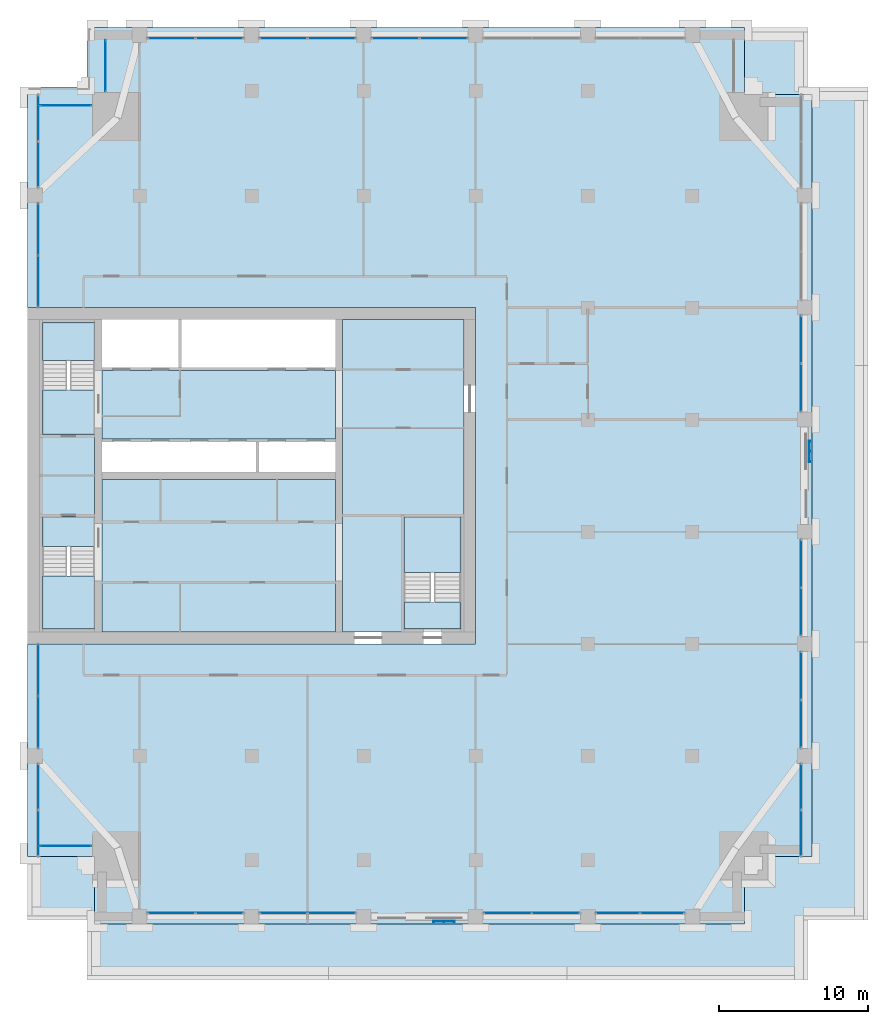
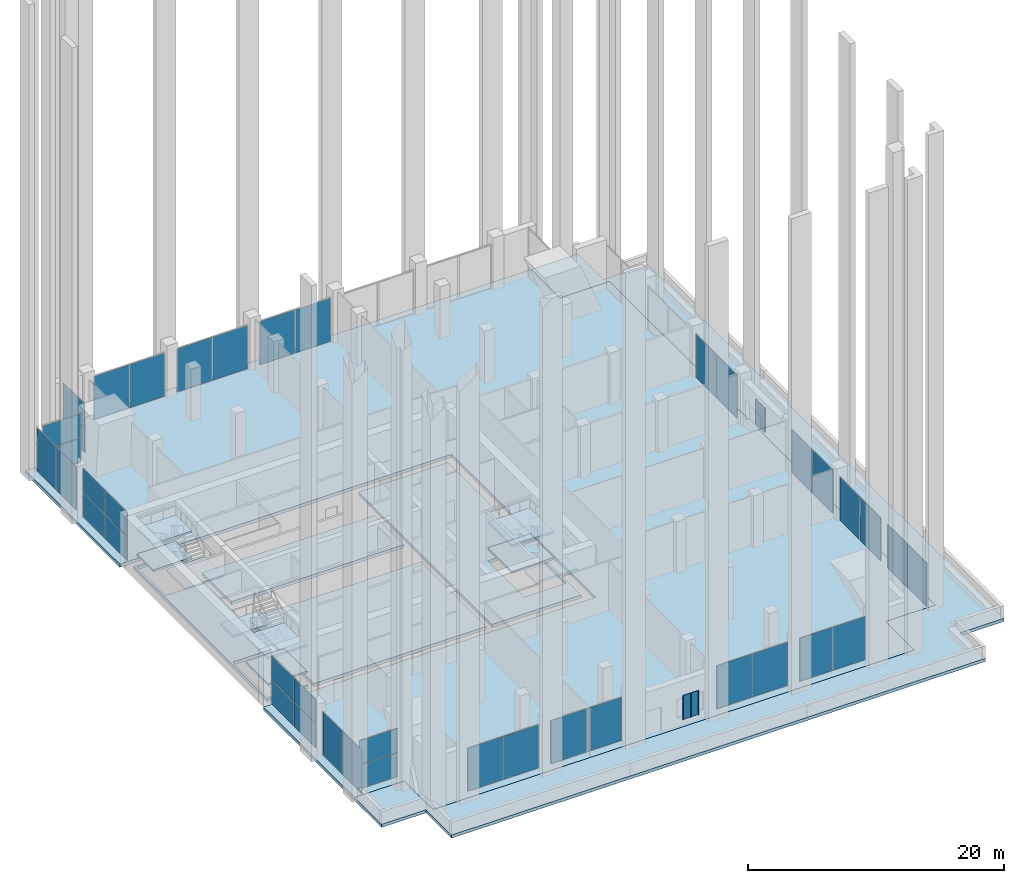
# One storey, part 9 of 19: 42 plates, 15 slabs, 21 elements without a shape of their own.
"""IFC4 building model written with IfcOpenShell, lengths in metres."""

import ifcopenshell
import ifcopenshell.guid

model = None  # the IFC model being written
_history = None  # IfcOwnerHistory: only IFC2X3 demands one
_inside = {}  # id of a spatial element -> (the spatial element, [elements in it])
_under = {}  # id of a project, library or spatial element -> (it, [spatial elements below it])
_declared = {}  # id of a project -> (the project, [libraries it declares])
_typed = {}  # id of a type object -> (the type object, [elements of that type])
_made_of = {}  # id of a material, layer set ... -> (it, [elements and type objects made of it])


def new_model(schema):
    """Start an empty IFC model of exactly this schema.

    Asked for "IFC4X3", IfcOpenShell would pick the latest addendum, in which some entities
    have other attributes; the version numbers below select the first issue.
    IFC2X3 requires an IfcOwnerHistory on every rooted entity: one is made here for all.
    """
    global model, _history
    if schema == "IFC4X3":
        model = ifcopenshell.file(schema_version=(4, 3, 0, 0))
    else:
        model = ifcopenshell.file(schema=schema)
    _inside.clear()
    _under.clear()
    _declared.clear()
    _typed.clear()
    _made_of.clear()
    _history = None
    if model.schema == "IFC2X3":
        org = make("IfcOrganization", Name="unknown")
        user = make(
            "IfcPersonAndOrganization",
            ThePerson=make("IfcPerson", FamilyName="unknown"),
            TheOrganization=org,
        )
        app = make(
            "IfcApplication",
            ApplicationDeveloper=org,
            Version="unknown",
            ApplicationFullName="unknown",
            ApplicationIdentifier="unknown",
        )
        _history = make(
            "IfcOwnerHistory",
            OwningUser=user,
            OwningApplication=app,
            ChangeAction="ADDED",
            CreationDate=0,
        )
    return model


def make(cls, **values):
    """One entity of the class cls with the attributes given. An attribute that is None is left unset."""
    return model.create_entity(
        cls, **{name: value for name, value in values.items() if value is not None}
    )


def rooted(cls, **values):
    """An entity with a GlobalId (a new one), such as an element, a storey or a relation."""
    return make(cls, GlobalId=ifcopenshell.guid.new(), OwnerHistory=_history, **values)


def si_unit(unit_type, name, prefix=None):
    """IfcSIUnit, for example si_unit("LENGTHUNIT", "METRE", prefix="MILLI")."""
    return make("IfcSIUnit", UnitType=unit_type, Prefix=prefix, Name=name)


def assignment(units):
    """IfcUnitAssignment: the units of a project."""
    return None if units is None else make("IfcUnitAssignment", Units=units)


def point(xyz):
    """IfcCartesianPoint."""
    return None if xyz is None else make("IfcCartesianPoint", Coordinates=xyz)


def direction(xyz):
    """IfcDirection."""
    return None if xyz is None else make("IfcDirection", DirectionRatios=xyz)


def frame(location, z_axis=None, x_axis=None):
    """IfcAxis2Placement3D, a coordinate frame: its origin and axes. An axis left out is left unset."""
    return make(
        "IfcAxis2Placement3D",
        Location=point(location),
        Axis=direction(z_axis),
        RefDirection=direction(x_axis),
    )


def frame_2d(location, x_axis=None):
    """IfcAxis2Placement2D, a coordinate frame in the plane: its origin and x axis."""
    return make(
        "IfcAxis2Placement2D", Location=point(location), RefDirection=direction(x_axis)
    )


def origin():
    """The frame at (0, 0, 0) with its axes left unset."""
    return frame((0.0, 0.0, 0.0))


def origin_2d():
    """The frame at (0, 0) in the plane with its x axis left unset."""
    return frame_2d((0.0, 0.0))


def place(relative_to, where):
    """IfcLocalPlacement: puts the frame where relative to a parent placement (None: the world)."""
    return make(
        "IfcLocalPlacement", PlacementRelTo=relative_to, RelativePlacement=where
    )


def context(
    kind, dimensions, precision=None, world=None, true_north=None, identifier=None
):
    """IfcGeometricRepresentationContext, for example the 3D "Model" context."""
    return make(
        "IfcGeometricRepresentationContext",
        ContextIdentifier=identifier,
        ContextType=kind,
        CoordinateSpaceDimension=dimensions,
        Precision=precision,
        WorldCoordinateSystem=world,
        TrueNorth=true_north,
    )


def subcontext(parent, identifier, kind, view, scale=None):
    """IfcGeometricRepresentationSubContext, for example "Body" below "Model"."""
    return make(
        "IfcGeometricRepresentationSubContext",
        ContextIdentifier=identifier,
        ContextType=kind,
        ParentContext=parent,
        TargetScale=scale,
        TargetView=view,
    )


def project(units=None, contexts=None):
    """IfcProject with its units and contexts."""
    return rooted(
        "IfcProject",
        Name="project",
        RepresentationContexts=contexts,
        UnitsInContext=assignment(units),
    )


def spatial(cls, under=None, at=None, **own):
    """A site, building, storey or space (cls), placed at a placement, below another one or the project."""
    s = rooted(cls, ObjectPlacement=at, **own)
    if under is not None:
        _under.setdefault(under.id(), (under, []))[1].append(s)
    return s


def polyline(points):
    """IfcPolyline through the points."""
    return make("IfcPolyline", Points=[point(p) for p in points])


def profile(cls, at=None, kind="AREA", **sizes):
    """A parametric profile (cls). Its sizes go by their IFC names, for example OverallWidth=200.0."""
    return make(cls, ProfileType=kind, Position=at, **sizes)


def rectangle(**sizes):
    """IfcRectangleProfileDef."""
    return profile("IfcRectangleProfileDef", **sizes)


def outline(outer, holes=None, kind="AREA"):
    """IfcArbitraryClosedProfileDef: a profile drawn as a closed curve; with holes, ...WithVoids."""
    if holes is None:
        return make("IfcArbitraryClosedProfileDef", ProfileType=kind, OuterCurve=outer)
    return make(
        "IfcArbitraryProfileDefWithVoids",
        ProfileType=kind,
        OuterCurve=outer,
        InnerCurves=holes,
    )


def extrude(swept, where, along, depth):
    """IfcExtrudedAreaSolid: the profile swept, set in the frame where, extruded along a direction by depth."""
    return make(
        "IfcExtrudedAreaSolid",
        SweptArea=swept,
        Position=where,
        ExtrudedDirection=direction(along),
        Depth=depth,
    )


def shape(context_of_items, identifier, shape_type, items):
    """IfcShapeRepresentation: the items that make up one representation, for example the "Body"."""
    return make(
        "IfcShapeRepresentation",
        ContextOfItems=context_of_items,
        RepresentationIdentifier=identifier,
        RepresentationType=shape_type,
        Items=items,
    )


def material(Name=None, Category=None):
    """IfcMaterial."""
    return make("IfcMaterial", Name=Name, Category=Category)


def layer(
    of_material, thickness, ventilated=None, Name=None, Category=None, Priority=None
):
    """IfcMaterialLayer: one layer of a wall or slab, of a material (None: an air gap)."""
    return make(
        "IfcMaterialLayer",
        Material=of_material,
        LayerThickness=thickness,
        IsVentilated=ventilated,
        Name=Name,
        Category=Category,
        Priority=Priority,
    )


def layer_set(layers, Name=None):
    """IfcMaterialLayerSet."""
    return make("IfcMaterialLayerSet", MaterialLayers=layers, LayerSetName=Name)


def made_of(thing, what):
    """Note that an element or type object is made of a material, layer set ...; save() writes the relation."""
    if what is not None:
        _made_of.setdefault(what.id(), (what, []))[1].append(thing)
    return thing


def type_object(cls, material=None, **own):
    """A type object (cls), such as IfcWallType, which elements share."""
    return made_of(rooted(cls, **own), material)


def element(
    cls,
    number,
    at=None,
    inside=None,
    cuts=None,
    type_object=None,
    material=None,
    context=None,
    identifier="Body",
    shape_type=None,
    held_by="IfcProductDefinitionShape",
    body=None,
    shapes=None,
    **own,
):
    """One element of the class cls, such as IfcWall. Its Tag is "e" and its number.

    at: its placement. inside: the storey or other place that contains it. cuts: it is an
    opening in that element (IfcRelVoidsElement). A single representation is given by context,
    identifier, shape_type and body (its items); several are given by shapes. held_by: the class
    of the entity that holds the representations. save() writes the other relations.
    """
    e = rooted(cls, Tag="e%d" % number, ObjectPlacement=at, **own)
    if body is not None:
        shapes = [shape(context, identifier, shape_type, body)]
    if shapes is not None:
        e.Representation = make(held_by, Representations=shapes)
    if inside is not None:
        _inside.setdefault(inside.id(), (inside, []))[1].append(e)
    if cuts is not None:
        rooted(
            "IfcRelVoidsElement", RelatingBuildingElement=cuts, RelatedOpeningElement=e
        )
    if type_object is not None:
        _typed.setdefault(type_object.id(), (type_object, []))[1].append(e)
    return made_of(e, material)


def aggregate(whole, parts):
    """IfcRelAggregates: a whole, such as a stair, and the parts it consists of."""
    return rooted("IfcRelAggregates", RelatingObject=whole, RelatedObjects=parts)


def save(model, path):
    """Write the relations noted so far, then the file.

    IfcRelAggregates (storeys below a building ...), IfcRelContainedInSpatialStructure (elements
    in a storey), IfcRelDefinesByType, IfcRelAssociatesMaterial and IfcRelDeclares: one each for
    every whole, place, type object, material and project.
    """
    for whole, parts in _under.values():
        aggregate(whole, parts)
    for where, things in _inside.values():
        rooted(
            "IfcRelContainedInSpatialStructure",
            RelatedElements=things,
            RelatingStructure=where,
        )
    for kind, things in _typed.values():
        rooted("IfcRelDefinesByType", RelatedObjects=things, RelatingType=kind)
    for what, things in _made_of.values():
        rooted("IfcRelAssociatesMaterial", RelatedObjects=things, RelatingMaterial=what)
    for by, libraries in _declared.values():
        rooted("IfcRelDeclares", RelatingContext=by, RelatedDefinitions=libraries)
    model.write(path)


model = new_model("IFC4")

# Units and contexts
model_context = context("Model", 3, precision=1e-05, world=origin(), true_north=direction((0.0, 1.0)))
body_context = subcontext(model_context, "Body", "Model", "MODEL_VIEW")
ifc_project = project(units=[si_unit("LENGTHUNIT", "METRE"), si_unit("AREAUNIT", "SQUARE_METRE"), si_unit("VOLUMEUNIT", "CUBIC_METRE"), si_unit("PLANEANGLEUNIT", "RADIAN"), si_unit("MASSUNIT", "GRAM", prefix="KILO")], contexts=[model_context])

# Site, building, storey
site_placement = place(None, origin())
site = spatial("IfcSite", under=ifc_project, at=site_placement, CompositionType="ELEMENT")
building_placement = place(site_placement, origin())
building = spatial("IfcBuilding", under=site, at=building_placement, Name="Tamorin Gate", CompositionType="ELEMENT")
storey_placement = place(building_placement, frame((0.0, 0.0, 174.199951171875)))
storey = spatial("IfcBuildingStorey", under=building, at=storey_placement, Name="L42", CompositionType="ELEMENT", Elevation=174.199951171875)

# Curtain wall, plates
ifc_material_1 = material(Name="Aluminium mullions and transoms with clear glass", Category="aluminium")
ifc_layer_1 = layer(ifc_material_1, 0.159912109375)
ifc_layer_set_1 = layer_set([ifc_layer_1], Name="Curtain wall system CW2")
curtain_wall_type = type_object("IfcCurtainWallType", Name="Curtain wall system CW2", PredefinedType="NOTDEFINED", material=ifc_layer_set_1)
curtain_wall_1_placement = place(storey_placement, origin())
curtain_wall_1 = element("IfcCurtainWall", 1, at=curtain_wall_1_placement, inside=storey, type_object=curtain_wall_type, Name="Curtain wall", PredefinedType="NOTDEFINED")
ifc_material_2 = material(Name="Clear glass", Category="glass")
ifc_layer_2 = layer(ifc_material_2, 0.028076171875)
ifc_layer_set_2 = layer_set([ifc_layer_2], Name="Clear glass panel IGU 28")
plate_type_1 = type_object("IfcPlateType", Name="Clear glass panel IGU 28", PredefinedType="CURTAIN_PANEL", material=ifc_layer_set_2)
plate_1_placement = place(storey_placement, frame((39.639892578125, 41.969970703125, 0.06005859375), z_axis=(0.0, 0.0, 1.0), x_axis=(1.0, 0.0, 0.0)))
plate_1 = element("IfcPlate", 2, at=plate_1_placement, type_object=plate_type_1, Name="CW2 panel 1.1", PredefinedType="CURTAIN_PANEL", context=body_context, shape_type="SweptSolid", body=[
    extrude(rectangle(XDim=3.159912109375, YDim=0.028076171875, at=origin_2d()), origin(), (0.0, 0.0, 1.0), 4.1298828125),
])
plate_2_placement = place(storey_placement, frame((42.860107421875, 41.969970703125, 0.06005859375), z_axis=(0.0, 0.0, 1.0), x_axis=(1.0, 0.0, 0.0)))
plate_2 = element("IfcPlate", 3, at=plate_2_placement, type_object=plate_type_1, Name="CW2 panel 2.1", PredefinedType="CURTAIN_PANEL", context=body_context, shape_type="SweptSolid", body=[
    extrude(rectangle(XDim=3.159912109375, YDim=0.028076171875, at=origin_2d()), origin(), (0.0, 0.0, 1.0), 4.1298828125),
])
aggregate(curtain_wall_1, [plate_1, plate_2])

curtain_wall_2_placement = place(storey_placement, origin())
curtain_wall_2 = element("IfcCurtainWall", 4, at=curtain_wall_2_placement, inside=storey, type_object=curtain_wall_type, Name="Curtain wall", PredefinedType="NOTDEFINED")
plate_3_placement = place(storey_placement, frame((47.139892578125, 41.969970703125, 0.06005859375), z_axis=(0.0, 0.0, 1.0), x_axis=(1.0, 0.0, 0.0)))
plate_3 = element("IfcPlate", 5, at=plate_3_placement, type_object=plate_type_1, Name="CW2 panel 1.1", PredefinedType="CURTAIN_PANEL", context=body_context, shape_type="SweptSolid", body=[
    extrude(rectangle(XDim=3.159912109375, YDim=0.028076171875, at=origin_2d()), origin(), (0.0, 0.0, 1.0), 4.1298828125),
])
plate_4_placement = place(storey_placement, frame((50.360107421875, 41.969970703125, 0.06005859375), z_axis=(0.0, 0.0, 1.0), x_axis=(1.0, 0.0, 0.0)))
plate_4 = element("IfcPlate", 6, at=plate_4_placement, type_object=plate_type_1, Name="CW2 panel 2.1", PredefinedType="CURTAIN_PANEL", context=body_context, shape_type="SweptSolid", body=[
    extrude(rectangle(XDim=3.159912109375, YDim=0.028076171875, at=origin_2d()), origin(), (0.0, 0.0, 1.0), 4.1298828125),
])
aggregate(curtain_wall_2, [plate_3, plate_4])

curtain_wall_3_placement = place(storey_placement, origin())
curtain_wall_3 = element("IfcCurtainWall", 7, at=curtain_wall_3_placement, inside=storey, type_object=curtain_wall_type, Name="Curtain wall", PredefinedType="NOTDEFINED")
plate_5_placement = place(storey_placement, frame((62.139892578125, 41.969970703125, 0.06005859375), z_axis=(0.0, 0.0, 1.0), x_axis=(1.0, 0.0, 0.0)))
plate_5 = element("IfcPlate", 8, at=plate_5_placement, type_object=plate_type_1, Name="CW2 panel 1.1", PredefinedType="CURTAIN_PANEL", context=body_context, shape_type="SweptSolid", body=[
    extrude(rectangle(XDim=3.159912109375, YDim=0.028076171875, at=origin_2d()), origin(), (0.0, 0.0, 1.0), 4.1298828125),
])
plate_6_placement = place(storey_placement, frame((65.360107421875, 41.969970703125, 0.06005859375), z_axis=(0.0, 0.0, 1.0), x_axis=(1.0, 0.0, 0.0)))
plate_6 = element("IfcPlate", 9, at=plate_6_placement, type_object=plate_type_1, Name="CW2 panel 2.1", PredefinedType="CURTAIN_PANEL", context=body_context, shape_type="SweptSolid", body=[
    extrude(rectangle(XDim=3.159912109375, YDim=0.028076171875, at=origin_2d()), origin(), (0.0, 0.0, 1.0), 4.1298828125),
])
aggregate(curtain_wall_3, [plate_5, plate_6])

curtain_wall_4_placement = place(storey_placement, origin())
curtain_wall_4 = element("IfcCurtainWall", 10, at=curtain_wall_4_placement, inside=storey, type_object=curtain_wall_type, Name="Curtain wall", PredefinedType="NOTDEFINED")
plate_7_placement = place(storey_placement, frame((69.514892578125, 41.969970703125, 0.06005859375), z_axis=(0.0, 0.0, 1.0), x_axis=(1.0, 0.0, 0.0)))
plate_7 = element("IfcPlate", 11, at=plate_7_placement, type_object=plate_type_1, Name="CW2 panel 1.1", PredefinedType="CURTAIN_PANEL", context=body_context, shape_type="SweptSolid", body=[
    extrude(rectangle(XDim=2.909912109375, YDim=0.028076171875, at=origin_2d()), origin(), (0.0, 0.0, 1.0), 4.1298828125),
])
plate_8_placement = place(storey_placement, frame((72.485107421875, 41.969970703125, 0.06005859375), z_axis=(0.0, 0.0, 1.0), x_axis=(1.0, 0.0, 0.0)))
plate_8 = element("IfcPlate", 12, at=plate_8_placement, type_object=plate_type_1, Name="CW2 panel 2.1", PredefinedType="CURTAIN_PANEL", context=body_context, shape_type="SweptSolid", body=[
    extrude(rectangle(XDim=2.909912109375, YDim=0.028076171875, at=origin_2d()), origin(), (0.0, 0.0, 1.0), 4.1298828125),
])
aggregate(curtain_wall_4, [plate_7, plate_8])

curtain_wall_5_placement = place(storey_placement, origin())
curtain_wall_5 = element("IfcCurtainWall", 13, at=curtain_wall_5_placement, inside=storey, type_object=curtain_wall_type, Name="Curtain wall", PredefinedType="NOTDEFINED")
plate_9_placement = place(storey_placement, frame((81.780029296875, 47.327392578125, 0.06005859375), z_axis=(0.0, 0.0, 1.0), x_axis=(0.0, 1.0, 0.0)))
plate_9 = element("IfcPlate", 14, at=plate_9_placement, type_object=plate_type_1, Name="CW2 panel 1.1", PredefinedType="CURTAIN_PANEL", context=body_context, shape_type="SweptSolid", body=[
    extrude(rectangle(XDim=3.034912109375, YDim=0.028076171875, at=origin_2d()), origin(), (0.0, 0.0, 1.0), 4.1298828125),
])
plate_10_placement = place(storey_placement, frame((81.780029296875, 50.422607421875, 0.06005859375), z_axis=(0.0, 0.0, 1.0), x_axis=(0.0, 1.0, 0.0)))
plate_10 = element("IfcPlate", 15, at=plate_10_placement, type_object=plate_type_1, Name="CW2 panel 2.1", PredefinedType="CURTAIN_PANEL", context=body_context, shape_type="SweptSolid", body=[
    extrude(rectangle(XDim=3.034912109375, YDim=0.028076171875, at=origin_2d()), origin(), (0.0, 0.0, 1.0), 4.1298828125),
])
aggregate(curtain_wall_5, [plate_9, plate_10])

curtain_wall_6_placement = place(storey_placement, origin())
curtain_wall_6 = element("IfcCurtainWall", 16, at=curtain_wall_6_placement, inside=storey, type_object=curtain_wall_type, Name="Curtain wall", PredefinedType="NOTDEFINED")
plate_11_placement = place(storey_placement, frame((81.780029296875, 54.639892578125, 0.06005859375), z_axis=(0.0, 0.0, 1.0), x_axis=(0.0, 1.0, 0.0)))
plate_11 = element("IfcPlate", 17, at=plate_11_placement, type_object=plate_type_1, Name="CW2 panel 1.1", PredefinedType="CURTAIN_PANEL", context=body_context, shape_type="SweptSolid", body=[
    extrude(rectangle(XDim=3.159912109375, YDim=0.028076171875, at=origin_2d()), origin(), (0.0, 0.0, 1.0), 4.1298828125),
])
plate_12_placement = place(storey_placement, frame((81.780029296875, 57.860107421875, 0.06005859375), z_axis=(0.0, 0.0, 1.0), x_axis=(0.0, 1.0, 0.0)))
plate_12 = element("IfcPlate", 18, at=plate_12_placement, type_object=plate_type_1, Name="CW2 panel 2.1", PredefinedType="CURTAIN_PANEL", context=body_context, shape_type="SweptSolid", body=[
    extrude(rectangle(XDim=3.159912109375, YDim=0.028076171875, at=origin_2d()), origin(), (0.0, 0.0, 1.0), 4.1298828125),
])
aggregate(curtain_wall_6, [plate_11, plate_12])

curtain_wall_7_placement = place(storey_placement, origin())
curtain_wall_7 = element("IfcCurtainWall", 19, at=curtain_wall_7_placement, inside=storey, type_object=curtain_wall_type, Name="Curtain wall", PredefinedType="NOTDEFINED")
plate_13_placement = place(storey_placement, frame((81.780029296875, 62.139892578125, 0.06005859375), z_axis=(0.0, 0.0, 1.0), x_axis=(0.0, 1.0, 0.0)))
plate_13 = element("IfcPlate", 20, at=plate_13_placement, type_object=plate_type_1, Name="CW2 panel 1.1", PredefinedType="CURTAIN_PANEL", context=body_context, shape_type="SweptSolid", body=[
    extrude(rectangle(XDim=3.159912109375, YDim=0.028076171875, at=origin_2d()), origin(), (0.0, 0.0, 1.0), 4.1298828125),
])
plate_14_placement = place(storey_placement, frame((81.780029296875, 65.360107421875, 0.06005859375), z_axis=(0.0, 0.0, 1.0), x_axis=(0.0, 1.0, 0.0)))
plate_14 = element("IfcPlate", 21, at=plate_14_placement, type_object=plate_type_1, Name="CW2 panel 2.1", PredefinedType="CURTAIN_PANEL", context=body_context, shape_type="SweptSolid", body=[
    extrude(rectangle(XDim=3.159912109375, YDim=0.028076171875, at=origin_2d()), origin(), (0.0, 0.0, 1.0), 4.1298828125),
])
aggregate(curtain_wall_7, [plate_13, plate_14])

curtain_wall_8_placement = place(storey_placement, origin())
curtain_wall_8 = element("IfcCurtainWall", 22, at=curtain_wall_8_placement, inside=storey, type_object=curtain_wall_type, Name="Curtain wall", PredefinedType="NOTDEFINED")
plate_15_placement = place(storey_placement, frame((81.780029296875, 77.139892578125, 0.06005859375), z_axis=(0.0, 0.0, 1.0), x_axis=(0.0, 1.0, 0.0)))
plate_15 = element("IfcPlate", 23, at=plate_15_placement, type_object=plate_type_1, Name="CW2 panel 1.1", PredefinedType="CURTAIN_PANEL", context=body_context, shape_type="SweptSolid", body=[
    extrude(rectangle(XDim=3.159912109375, YDim=0.028076171875, at=origin_2d()), origin(), (0.0, 0.0, 1.0), 4.1298828125),
])
plate_16_placement = place(storey_placement, frame((81.780029296875, 80.360107421875, 0.06005859375), z_axis=(0.0, 0.0, 1.0), x_axis=(0.0, 1.0, 0.0)))
plate_16 = element("IfcPlate", 24, at=plate_16_placement, type_object=plate_type_1, Name="CW2 panel 2.1", PredefinedType="CURTAIN_PANEL", context=body_context, shape_type="SweptSolid", body=[
    extrude(rectangle(XDim=3.159912109375, YDim=0.028076171875, at=origin_2d()), origin(), (0.0, 0.0, 1.0), 4.1298828125),
])
aggregate(curtain_wall_8, [plate_15, plate_16])

curtain_wall_9_placement = place(storey_placement, origin())
curtain_wall_9 = element("IfcCurtainWall", 25, at=curtain_wall_9_placement, inside=storey, type_object=curtain_wall_type, Name="Curtain wall", PredefinedType="NOTDEFINED")
plate_17_placement = place(storey_placement, frame((57.860107421875, 100.530029296875, 0.06005859375), z_axis=(0.0, 0.0, 1.0), x_axis=(-1.0, 0.0, 0.0)))
plate_17 = element("IfcPlate", 26, at=plate_17_placement, type_object=plate_type_1, Name="CW2 panel 1.1", PredefinedType="CURTAIN_PANEL", context=body_context, shape_type="SweptSolid", body=[
    extrude(rectangle(XDim=3.159912109375, YDim=0.028076171875, at=origin_2d()), origin(), (0.0, 0.0, 1.0), 4.1298828125),
])
plate_18_placement = place(storey_placement, frame((54.639892578125, 100.530029296875, 0.06005859375), z_axis=(0.0, 0.0, 1.0), x_axis=(-1.0, 0.0, 0.0)))
plate_18 = element("IfcPlate", 27, at=plate_18_placement, type_object=plate_type_1, Name="CW2 panel 2.1", PredefinedType="CURTAIN_PANEL", context=body_context, shape_type="SweptSolid", body=[
    extrude(rectangle(XDim=3.159912109375, YDim=0.028076171875, at=origin_2d()), origin(), (0.0, 0.0, 1.0), 4.1298828125),
])
aggregate(curtain_wall_9, [plate_17, plate_18])

curtain_wall_10_placement = place(storey_placement, origin())
curtain_wall_10 = element("IfcCurtainWall", 28, at=curtain_wall_10_placement, inside=storey, type_object=curtain_wall_type, Name="Curtain wall", PredefinedType="NOTDEFINED")
plate_19_placement = place(storey_placement, frame((50.360107421875, 100.530029296875, 0.06005859375), z_axis=(0.0, 0.0, 1.0), x_axis=(-1.0, 0.0, 0.0)))
plate_19 = element("IfcPlate", 29, at=plate_19_placement, type_object=plate_type_1, Name="CW2 panel 1.1", PredefinedType="CURTAIN_PANEL", context=body_context, shape_type="SweptSolid", body=[
    extrude(rectangle(XDim=3.159912109375, YDim=0.028076171875, at=origin_2d()), origin(), (0.0, 0.0, 1.0), 4.1298828125),
])
plate_20_placement = place(storey_placement, frame((47.139892578125, 100.530029296875, 0.06005859375), z_axis=(0.0, 0.0, 1.0), x_axis=(-1.0, 0.0, 0.0)))
plate_20 = element("IfcPlate", 30, at=plate_20_placement, type_object=plate_type_1, Name="CW2 panel 2.1", PredefinedType="CURTAIN_PANEL", context=body_context, shape_type="SweptSolid", body=[
    extrude(rectangle(XDim=3.159912109375, YDim=0.028076171875, at=origin_2d()), origin(), (0.0, 0.0, 1.0), 4.1298828125),
])
aggregate(curtain_wall_10, [plate_19, plate_20])

curtain_wall_11_placement = place(storey_placement, origin())
curtain_wall_11 = element("IfcCurtainWall", 31, at=curtain_wall_11_placement, inside=storey, type_object=curtain_wall_type, Name="Curtain wall", PredefinedType="NOTDEFINED")
plate_21_placement = place(storey_placement, frame((42.860107421875, 100.530029296875, 0.06005859375), z_axis=(0.0, 0.0, 1.0), x_axis=(-1.0, 0.0, 0.0)))
plate_21 = element("IfcPlate", 32, at=plate_21_placement, type_object=plate_type_1, Name="CW2 panel 1.1", PredefinedType="CURTAIN_PANEL", context=body_context, shape_type="SweptSolid", body=[
    extrude(rectangle(XDim=3.159912109375, YDim=0.028076171875, at=origin_2d()), origin(), (0.0, 0.0, 1.0), 4.1298828125),
])
plate_22_placement = place(storey_placement, frame((39.639892578125, 100.530029296875, 0.06005859375), z_axis=(0.0, 0.0, 1.0), x_axis=(-1.0, 0.0, 0.0)))
plate_22 = element("IfcPlate", 33, at=plate_22_placement, type_object=plate_type_1, Name="CW2 panel 2.1", PredefinedType="CURTAIN_PANEL", context=body_context, shape_type="SweptSolid", body=[
    extrude(rectangle(XDim=3.159912109375, YDim=0.028076171875, at=origin_2d()), origin(), (0.0, 0.0, 1.0), 4.1298828125),
])
aggregate(curtain_wall_11, [plate_21, plate_22])

curtain_wall_12_placement = place(storey_placement, origin())
curtain_wall_12 = element("IfcCurtainWall", 34, at=curtain_wall_12_placement, inside=storey, type_object=curtain_wall_type, Name="Curtain wall", PredefinedType="NOTDEFINED")
plate_23_placement = place(storey_placement, frame((35.219970703125, 98.69384765625, 0.06005859375), z_axis=(0.0, 0.0, 1.0), x_axis=(0.0, -1.0, 0.0)))
plate_23 = element("IfcPlate", 35, at=plate_23_placement, type_object=plate_type_1, Name="CW2 panel 1.1", PredefinedType="CURTAIN_PANEL", context=body_context, shape_type="SweptSolid", body=[
    extrude(rectangle(XDim=3.392578125, YDim=0.028076171875, at=origin_2d()), origin(), (0.0, 0.0, 1.0), 2.284912109375),
])
plate_24_placement = place(storey_placement, frame((35.219970703125, 98.69384765625, 2.4052734375), z_axis=(0.0, 0.0, 1.0), x_axis=(0.0, -1.0, 0.0)))
plate_24 = element("IfcPlate", 36, at=plate_24_placement, type_object=plate_type_1, Name="CW2 panel 1.2", PredefinedType="CURTAIN_PANEL", context=body_context, shape_type="SweptSolid", body=[
    extrude(rectangle(XDim=3.392578125, YDim=0.028076171875, at=origin_2d()), origin(), (0.0, 0.0, 1.0), 2.284912109375),
])
aggregate(curtain_wall_12, [plate_23, plate_24])

curtain_wall_13_placement = place(storey_placement, origin())
curtain_wall_13 = element("IfcCurtainWall", 37, at=curtain_wall_13_placement, inside=storey, type_object=curtain_wall_type, Name="Curtain wall", PredefinedType="NOTDEFINED")
plate_25_placement = place(storey_placement, frame((32.55615234375, 96.030029296875, 0.06005859375), z_axis=(0.0, 0.0, 1.0), x_axis=(-1.0, 0.0, 0.0)))
plate_25 = element("IfcPlate", 38, at=plate_25_placement, type_object=plate_type_1, Name="CW2 panel 1.1", PredefinedType="CURTAIN_PANEL", context=body_context, shape_type="SweptSolid", body=[
    extrude(rectangle(XDim=3.392578125, YDim=0.028076171875, at=origin_2d()), origin(), (0.0, 0.0, 1.0), 2.284912109375),
])
plate_26_placement = place(storey_placement, frame((32.55615234375, 96.030029296875, 2.4052734375), z_axis=(0.0, 0.0, 1.0), x_axis=(-1.0, 0.0, 0.0)))
plate_26 = element("IfcPlate", 39, at=plate_26_placement, type_object=plate_type_1, Name="CW2 panel 1.2", PredefinedType="CURTAIN_PANEL", context=body_context, shape_type="SweptSolid", body=[
    extrude(rectangle(XDim=3.392578125, YDim=0.028076171875, at=origin_2d()), origin(), (0.0, 0.0, 1.0), 2.284912109375),
])
aggregate(curtain_wall_13, [plate_25, plate_26])

curtain_wall_14_placement = place(storey_placement, origin())
curtain_wall_14 = element("IfcCurtainWall", 40, at=curtain_wall_14_placement, inside=storey, type_object=curtain_wall_type, Name="Curtain wall", PredefinedType="NOTDEFINED")
plate_27_placement = place(storey_placement, frame((30.719970703125, 95.172607421875, 0.06005859375), z_axis=(0.0, 0.0, 1.0), x_axis=(0.0, -1.0, 0.0)))
plate_27 = element("IfcPlate", 41, at=plate_27_placement, type_object=plate_type_1, Name="CW2 panel 1.1", PredefinedType="CURTAIN_PANEL", context=body_context, shape_type="SweptSolid", body=[
    extrude(rectangle(XDim=3.034912109375, YDim=0.028076171875, at=origin_2d()), origin(), (0.0, 0.0, 1.0), 4.1298828125),
])
plate_28_placement = place(storey_placement, frame((30.719970703125, 92.077392578125, 0.06005859375), z_axis=(0.0, 0.0, 1.0), x_axis=(0.0, -1.0, 0.0)))
plate_28 = element("IfcPlate", 42, at=plate_28_placement, type_object=plate_type_1, Name="CW2 panel 2.1", PredefinedType="CURTAIN_PANEL", context=body_context, shape_type="SweptSolid", body=[
    extrude(rectangle(XDim=3.034912109375, YDim=0.028076171875, at=origin_2d()), origin(), (0.0, 0.0, 1.0), 4.1298828125),
])
aggregate(curtain_wall_14, [plate_27, plate_28])

curtain_wall_15_placement = place(storey_placement, origin())
curtain_wall_15 = element("IfcCurtainWall", 43, at=curtain_wall_15_placement, inside=storey, type_object=curtain_wall_type, Name="Curtain wall", PredefinedType="NOTDEFINED")
plate_29_placement = place(storey_placement, frame((30.719970703125, 87.735107421875, 0.06005859375), z_axis=(0.0, 0.0, 1.0), x_axis=(0.0, -1.0, 0.0)))
plate_29 = element("IfcPlate", 44, at=plate_29_placement, type_object=plate_type_1, Name="CW2 panel 1.1", PredefinedType="CURTAIN_PANEL", context=body_context, shape_type="SweptSolid", body=[
    extrude(rectangle(XDim=3.409912109375, YDim=0.028076171875, at=origin_2d()), origin(), (0.0, 0.0, 1.0), 2.284912109375),
])
plate_30_placement = place(storey_placement, frame((30.719970703125, 87.735107421875, 2.4052734375), z_axis=(0.0, 0.0, 1.0), x_axis=(0.0, -1.0, 0.0)))
plate_30 = element("IfcPlate", 45, at=plate_30_placement, type_object=plate_type_1, Name="CW2 panel 1.2", PredefinedType="CURTAIN_PANEL", context=body_context, shape_type="SweptSolid", body=[
    extrude(rectangle(XDim=3.409912109375, YDim=0.028076171875, at=origin_2d()), origin(), (0.0, 0.0, 1.0), 2.284912109375),
])
plate_31_placement = place(storey_placement, frame((30.719970703125, 84.264892578125, 0.06005859375), z_axis=(0.0, 0.0, 1.0), x_axis=(0.0, -1.0, 0.0)))
plate_31 = element("IfcPlate", 46, at=plate_31_placement, type_object=plate_type_1, Name="CW2 panel 2.1", PredefinedType="CURTAIN_PANEL", context=body_context, shape_type="SweptSolid", body=[
    extrude(rectangle(XDim=3.409912109375, YDim=0.028076171875, at=origin_2d()), origin(), (0.0, 0.0, 1.0), 2.284912109375),
])
plate_32_placement = place(storey_placement, frame((30.719970703125, 84.264892578125, 2.4052734375), z_axis=(0.0, 0.0, 1.0), x_axis=(0.0, -1.0, 0.0)))
plate_32 = element("IfcPlate", 47, at=plate_32_placement, type_object=plate_type_1, Name="CW2 panel 2.2", PredefinedType="CURTAIN_PANEL", context=body_context, shape_type="SweptSolid", body=[
    extrude(rectangle(XDim=3.409912109375, YDim=0.028076171875, at=origin_2d()), origin(), (0.0, 0.0, 1.0), 2.284912109375),
])
aggregate(curtain_wall_15, [plate_29, plate_30, plate_31, plate_32])

curtain_wall_16_placement = place(storey_placement, origin())
curtain_wall_16 = element("IfcCurtainWall", 48, at=curtain_wall_16_placement, inside=storey, type_object=curtain_wall_type, Name="Curtain wall", PredefinedType="NOTDEFINED")
plate_33_placement = place(storey_placement, frame((30.719970703125, 58.235107421875, 0.06005859375), z_axis=(0.0, 0.0, 1.0), x_axis=(0.0, -1.0, 0.0)))
plate_33 = element("IfcPlate", 49, at=plate_33_placement, type_object=plate_type_1, Name="CW2 panel 1.1", PredefinedType="CURTAIN_PANEL", context=body_context, shape_type="SweptSolid", body=[
    extrude(rectangle(XDim=3.409912109375, YDim=0.028076171875, at=origin_2d()), origin(), (0.0, 0.0, 1.0), 2.284912109375),
])
plate_34_placement = place(storey_placement, frame((30.719970703125, 58.235107421875, 2.4052734375), z_axis=(0.0, 0.0, 1.0), x_axis=(0.0, -1.0, 0.0)))
plate_34 = element("IfcPlate", 50, at=plate_34_placement, type_object=plate_type_1, Name="CW2 panel 1.2", PredefinedType="CURTAIN_PANEL", context=body_context, shape_type="SweptSolid", body=[
    extrude(rectangle(XDim=3.409912109375, YDim=0.028076171875, at=origin_2d()), origin(), (0.0, 0.0, 1.0), 2.284912109375),
])
plate_35_placement = place(storey_placement, frame((30.719970703125, 54.764892578125, 0.06005859375), z_axis=(0.0, 0.0, 1.0), x_axis=(0.0, -1.0, 0.0)))
plate_35 = element("IfcPlate", 51, at=plate_35_placement, type_object=plate_type_1, Name="CW2 panel 2.1", PredefinedType="CURTAIN_PANEL", context=body_context, shape_type="SweptSolid", body=[
    extrude(rectangle(XDim=3.409912109375, YDim=0.028076171875, at=origin_2d()), origin(), (0.0, 0.0, 1.0), 2.284912109375),
])
plate_36_placement = place(storey_placement, frame((30.719970703125, 54.764892578125, 2.4052734375), z_axis=(0.0, 0.0, 1.0), x_axis=(0.0, -1.0, 0.0)))
plate_36 = element("IfcPlate", 52, at=plate_36_placement, type_object=plate_type_1, Name="CW2 panel 2.2", PredefinedType="CURTAIN_PANEL", context=body_context, shape_type="SweptSolid", body=[
    extrude(rectangle(XDim=3.409912109375, YDim=0.028076171875, at=origin_2d()), origin(), (0.0, 0.0, 1.0), 2.284912109375),
])
aggregate(curtain_wall_16, [plate_33, plate_34, plate_35, plate_36])

curtain_wall_17_placement = place(storey_placement, origin())
curtain_wall_17 = element("IfcCurtainWall", 53, at=curtain_wall_17_placement, inside=storey, type_object=curtain_wall_type, Name="Curtain wall", PredefinedType="NOTDEFINED")
plate_37_placement = place(storey_placement, frame((30.719970703125, 50.422607421875, 0.06005859375), z_axis=(0.0, 0.0, 1.0), x_axis=(0.0, -1.0, 0.0)))
plate_37 = element("IfcPlate", 54, at=plate_37_placement, type_object=plate_type_1, Name="CW2 panel 1.1", PredefinedType="CURTAIN_PANEL", context=body_context, shape_type="SweptSolid", body=[
    extrude(rectangle(XDim=3.034912109375, YDim=0.028076171875, at=origin_2d()), origin(), (0.0, 0.0, 1.0), 4.1298828125),
])
plate_38_placement = place(storey_placement, frame((30.719970703125, 47.327392578125, 0.06005859375), z_axis=(0.0, 0.0, 1.0), x_axis=(0.0, -1.0, 0.0)))
plate_38 = element("IfcPlate", 55, at=plate_38_placement, type_object=plate_type_1, Name="CW2 panel 2.1", PredefinedType="CURTAIN_PANEL", context=body_context, shape_type="SweptSolid", body=[
    extrude(rectangle(XDim=3.034912109375, YDim=0.028076171875, at=origin_2d()), origin(), (0.0, 0.0, 1.0), 4.1298828125),
])
aggregate(curtain_wall_17, [plate_37, plate_38])

curtain_wall_18_placement = place(storey_placement, origin())
curtain_wall_18 = element("IfcCurtainWall", 56, at=curtain_wall_18_placement, inside=storey, type_object=curtain_wall_type, Name="Curtain wall", PredefinedType="NOTDEFINED")
plate_39_placement = place(storey_placement, frame((32.55615234375, 46.469970703125, 0.06005859375), z_axis=(0.0, 0.0, 1.0), x_axis=(1.0, 0.0, 0.0)))
plate_39 = element("IfcPlate", 57, at=plate_39_placement, type_object=plate_type_1, Name="CW2 panel 1.1", PredefinedType="CURTAIN_PANEL", context=body_context, shape_type="SweptSolid", body=[
    extrude(rectangle(XDim=3.392578125, YDim=0.028076171875, at=origin_2d()), origin(), (0.0, 0.0, 1.0), 2.284912109375),
])
plate_40_placement = place(storey_placement, frame((32.55615234375, 46.469970703125, 2.4052734375), z_axis=(0.0, 0.0, 1.0), x_axis=(1.0, 0.0, 0.0)))
plate_40 = element("IfcPlate", 58, at=plate_40_placement, type_object=plate_type_1, Name="CW2 panel 1.2", PredefinedType="CURTAIN_PANEL", context=body_context, shape_type="SweptSolid", body=[
    extrude(rectangle(XDim=3.392578125, YDim=0.028076171875, at=origin_2d()), origin(), (0.0, 0.0, 1.0), 2.284912109375),
])
aggregate(curtain_wall_18, [plate_39, plate_40])

# Slabs
ifc_material_3 = material(Name="Concrete C40/50", Category="concrete")
ifc_layer_3 = layer(ifc_material_3, 0.300048828125)
ifc_layer_set_3 = layer_set([ifc_layer_3], Name="Core floor slab 300 C40/50")
slab_type_1 = type_object("IfcSlabType", Name="Core floor slab 300 C40/50", PredefinedType="FLOOR", material=ifc_layer_set_3)
slab_1_placement = place(storey_placement, frame((0.0, 0.0, -0.300048828125)))
element("IfcSlab", 59, at=slab_1_placement, inside=storey, type_object=slab_type_1, Name="Core floor L42", PredefinedType="FLOOR", context=body_context, shape_type="SweptSolid", body=[
    extrude(outline(polyline([(51.10009765625, 81.699951171875), (59.199951171875, 81.699951171875), (59.199951171875, 60.800048828125), (51.10009765625, 60.800048828125), (51.10009765625, 81.699951171875)]), holes=[polyline([(55.199951171875, 62.800048828125), (59.0, 62.800048828125), (59.0, 68.5), (55.199951171875, 68.5), (55.199951171875, 62.800048828125)])]), origin(), (0.0, 0.0, 1.0), 0.300048828125),
])
slab_2_placement = place(storey_placement, frame((0.0, 0.0, -0.300048828125)))
element("IfcSlab", 60, at=slab_2_placement, inside=storey, type_object=slab_type_1, Name="Core floor L42", PredefinedType="FLOOR", context=body_context, shape_type="SweptSolid", body=[
    extrude(outline(polyline([(50.60009765625, 71.0), (50.60009765625, 60.800048828125), (35.0, 60.800048828125), (35.0, 71.0), (50.60009765625, 71.0)])), origin(), (0.0, 0.0, 1.0), 0.300048828125),
])
slab_3_placement = place(storey_placement, frame((0.0, 0.0, -0.300048828125)))
element("IfcSlab", 61, at=slab_3_placement, inside=storey, type_object=slab_type_1, Name="Core floor L42", PredefinedType="FLOOR", context=body_context, shape_type="SweptSolid", body=[
    extrude(outline(polyline([(50.60009765625, 73.699951171875), (35.0, 73.699951171875), (35.0, 78.300048828125), (50.60009765625, 78.300048828125), (50.60009765625, 73.699951171875)])), origin(), (0.0, 0.0, 1.0), 0.300048828125),
])
slab_4_placement = place(storey_placement, frame((0.0, 0.0, -0.300048828125)))
element("IfcSlab", 62, at=slab_4_placement, inside=storey, type_object=slab_type_1, Name="Core floor L42", PredefinedType="FLOOR", context=body_context, shape_type="SweptSolid", body=[
    extrude(outline(polyline([(34.5, 60.800048828125), (30.800048828125, 60.800048828125), (30.800048828125, 81.699951171875), (34.5, 81.699951171875), (34.5, 81.5), (31.0, 81.5), (31.0, 77.0), (34.5, 77.0), (34.5, 66.5), (31.0, 66.5), (31.0, 61.0), (34.5, 61.0), (34.5, 60.800048828125)])), origin(), (0.0, 0.0, 1.0), 0.300048828125),
])

# Stair, slabs
stair_type = type_object("IfcStairType", Name="Exit stair", PredefinedType="HALF_TURN_STAIR", material=ifc_material_3)
stair_1_placement = place(storey_placement, origin())
stair_1 = element("IfcStair", 63, at=stair_1_placement, inside=storey, type_object=stair_type, Name="L42 stair ST1", PredefinedType="HALF_TURN_STAIR")
ifc_layer_4 = layer(ifc_material_3, 0.199951171875)
ifc_layer_set_4 = layer_set([ifc_layer_4], Name="Exit stair landing 200")
slab_type_2 = type_object("IfcSlabType", Name="Exit stair landing 200", PredefinedType="LANDING", material=ifc_layer_set_4)
slab_5_placement = place(storey_placement, frame((0.0, 0.0, 1.050048828125)))
slab_5 = element("IfcSlab", 64, at=slab_5_placement, type_object=slab_type_2, Name="ST1 landing 1", PredefinedType="LANDING", context=body_context, shape_type="SweptSolid", body=[
    extrude(outline(polyline([(31.0, 64.5400390625), (31.0, 61.0), (34.5, 61.0), (34.5, 64.5400390625), (31.0, 64.5400390625)])), origin(), (0.0, 0.0, 1.0), 0.199951171875),
])
slab_6_placement = place(storey_placement, frame((0.0, 0.0, 2.300048828125)))
slab_6 = element("IfcSlab", 65, at=slab_6_placement, type_object=slab_type_2, Name="ST1 landing 2", PredefinedType="LANDING", context=body_context, shape_type="SweptSolid", body=[
    extrude(outline(polyline([(31.0, 68.5), (31.0, 66.5), (34.5, 66.5), (34.5, 68.5), (31.0, 68.5)])), origin(), (0.0, 0.0, 1.0), 0.199951171875),
])
slab_7_placement = place(storey_placement, frame((0.0, 0.0, 3.550048828125)))
slab_7 = element("IfcSlab", 66, at=slab_7_placement, type_object=slab_type_2, Name="ST1 landing 3", PredefinedType="LANDING", context=body_context, shape_type="SweptSolid", body=[
    extrude(outline(polyline([(31.0, 64.5400390625), (31.0, 61.0), (34.5, 61.0), (34.5, 64.5400390625), (31.0, 64.5400390625)])), origin(), (0.0, 0.0, 1.0), 0.199951171875),
])
aggregate(stair_1, [slab_5, slab_6, slab_7])

stair_2_placement = place(storey_placement, origin())
stair_2 = element("IfcStair", 67, at=stair_2_placement, inside=storey, type_object=stair_type, Name="L42 stair ST2", PredefinedType="HALF_TURN_STAIR")
slab_8_placement = place(storey_placement, frame((0.0, 0.0, 1.050048828125)))
slab_8 = element("IfcSlab", 68, at=slab_8_placement, type_object=slab_type_2, Name="ST2 landing 1", PredefinedType="LANDING", context=body_context, shape_type="SweptSolid", body=[
    extrude(outline(polyline([(34.5, 78.9599609375), (34.5, 81.5), (31.0, 81.5), (31.0, 78.9599609375), (34.5, 78.9599609375)])), origin(), (0.0, 0.0, 1.0), 0.199951171875),
])
slab_9_placement = place(storey_placement, frame((0.0, 0.0, 2.300048828125)))
slab_9 = element("IfcSlab", 69, at=slab_9_placement, type_object=slab_type_2, Name="ST2 landing 2", PredefinedType="LANDING", context=body_context, shape_type="SweptSolid", body=[
    extrude(outline(polyline([(34.5, 74.0), (34.5, 77.0), (31.0, 77.0), (31.0, 74.0), (34.5, 74.0)])), origin(), (0.0, 0.0, 1.0), 0.199951171875),
])
slab_10_placement = place(storey_placement, frame((0.0, 0.0, 3.550048828125)))
slab_10 = element("IfcSlab", 70, at=slab_10_placement, type_object=slab_type_2, Name="ST2 landing 3", PredefinedType="LANDING", context=body_context, shape_type="SweptSolid", body=[
    extrude(outline(polyline([(34.5, 78.9599609375), (34.5, 81.5), (31.0, 81.5), (31.0, 78.9599609375), (34.5, 78.9599609375)])), origin(), (0.0, 0.0, 1.0), 0.199951171875),
])
aggregate(stair_2, [slab_8, slab_9, slab_10])

stair_3_placement = place(storey_placement, origin())
stair_3 = element("IfcStair", 71, at=stair_3_placement, inside=storey, type_object=stair_type, Name="L42 stair ST3", PredefinedType="HALF_TURN_STAIR")
slab_11_placement = place(storey_placement, frame((0.0, 0.0, 1.050048828125)))
slab_11 = element("IfcSlab", 72, at=slab_11_placement, type_object=slab_type_2, Name="ST3 landing 1", PredefinedType="LANDING", context=body_context, shape_type="SweptSolid", body=[
    extrude(outline(polyline([(59.0, 64.760009765625), (59.0, 68.5), (55.199951171875, 68.5), (55.199951171875, 64.760009765625), (59.0, 64.760009765625)])), origin(), (0.0, 0.0, 1.0), 0.199951171875),
])
slab_12_placement = place(storey_placement, frame((0.0, 0.0, 2.300048828125)))
slab_12 = element("IfcSlab", 73, at=slab_12_placement, type_object=slab_type_2, Name="ST3 landing 2", PredefinedType="LANDING", context=body_context, shape_type="SweptSolid", body=[
    extrude(outline(polyline([(59.0, 61.0), (59.0, 62.800048828125), (55.199951171875, 62.800048828125), (55.199951171875, 61.0), (59.0, 61.0)])), origin(), (0.0, 0.0, 1.0), 0.199951171875),
])
slab_13_placement = place(storey_placement, frame((0.0, 0.0, 3.550048828125)))
slab_13 = element("IfcSlab", 74, at=slab_13_placement, type_object=slab_type_2, Name="ST3 landing 3", PredefinedType="LANDING", context=body_context, shape_type="SweptSolid", body=[
    extrude(outline(polyline([(59.0, 64.760009765625), (59.0, 68.5), (55.199951171875, 68.5), (55.199951171875, 64.760009765625), (59.0, 64.760009765625)])), origin(), (0.0, 0.0, 1.0), 0.199951171875),
])
aggregate(stair_3, [slab_11, slab_12, slab_13])

# Slab
ifc_layer_5 = layer(ifc_material_3, 0.300048828125)
ifc_layer_set_5 = layer_set([ifc_layer_5], Name="Floor slab 300 C40/50")
slab_type_3 = type_object("IfcSlabType", Name="Floor slab 300 C40/50", PredefinedType="FLOOR", material=ifc_layer_set_5)
slab_14_placement = place(storey_placement, frame((0.0, 0.0, -0.300048828125)))
element("IfcSlab", 75, at=slab_14_placement, inside=storey, type_object=slab_type_3, Name="Floor L42", PredefinedType="FLOOR", context=body_context, shape_type="SweptSolid", body=[
    extrude(outline(polyline([(78.0, 96.75), (82.5, 96.75), (82.5, 45.75), (78.0, 45.75), (78.0, 41.25), (34.5, 41.25), (34.5, 45.75), (30.0, 45.75), (30.0, 60.0), (60.0, 60.0), (60.0, 82.5), (30.0, 82.5), (30.0, 97.25), (34.0, 97.25), (34.0, 101.25), (78.0, 101.25), (78.0, 96.75)])), origin(), (0.0, 0.0, 1.0), 0.300048828125),
])

# Plates
ifc_material_4 = material(Name="Perforated pale aluminium sheet", Category="aluminium")
ifc_layer_6 = layer(ifc_material_4, 0.0400390625)
ifc_layer_set_6 = layer_set([ifc_layer_6], Name="Pale metal solar screen 1440")
plate_type_2 = type_object("IfcPlateType", Name="Pale metal solar screen 1440", PredefinedType="SHEET", material=ifc_layer_set_6)
plate_41_placement = place(storey_placement, frame((0.0, 0.0, 0.550048828125)))
element("IfcPlate", 76, at=plate_41_placement, inside=storey, type_object=plate_type_2, Name="Perforated solar screen", PredefinedType="SHEET", context=body_context, shape_type="SweptSolid", body=[
    extrude(outline(polyline([(57.155029296875, 41.409912109375), (57.155029296875, 41.449951171875), (57.215087890625, 41.449951171875), (57.844970703125, 41.449951171875), (57.905029296875, 41.449951171875), (58.534912109375, 41.449951171875), (58.594970703125, 41.449951171875), (58.594970703125, 41.409912109375), (58.594970703125, 41.35009765625), (58.534912109375, 41.35009765625), (58.534912109375, 41.409912109375), (57.905029296875, 41.409912109375), (57.905029296875, 41.35009765625), (57.844970703125, 41.35009765625), (57.844970703125, 41.409912109375), (57.215087890625, 41.409912109375), (57.215087890625, 41.35009765625), (57.155029296875, 41.35009765625), (57.155029296875, 41.409912109375)])), origin(), (0.0, 0.0, 1.0), 2.300048828125),
])
plate_42_placement = place(storey_placement, frame((0.0, 0.0, 0.550048828125)))
element("IfcPlate", 77, at=plate_42_placement, inside=storey, type_object=plate_type_2, Name="Perforated solar screen", PredefinedType="SHEET", context=body_context, shape_type="SweptSolid", body=[
    extrude(outline(polyline([(82.340087890625, 72.155029296875), (82.300048828125, 72.155029296875), (82.300048828125, 72.215087890625), (82.300048828125, 72.844970703125), (82.300048828125, 72.905029296875), (82.300048828125, 73.534912109375), (82.300048828125, 73.594970703125), (82.340087890625, 73.594970703125), (82.39990234375, 73.594970703125), (82.39990234375, 73.534912109375), (82.340087890625, 73.534912109375), (82.340087890625, 72.905029296875), (82.39990234375, 72.905029296875), (82.39990234375, 72.844970703125), (82.340087890625, 72.844970703125), (82.340087890625, 72.215087890625), (82.39990234375, 72.215087890625), (82.39990234375, 72.155029296875), (82.340087890625, 72.155029296875)])), origin(), (0.0, 0.0, 1.0), 2.300048828125),
])

# Slab
ifc_layer_7 = layer(ifc_material_3, 0.300048828125)
ifc_layer_set_7 = layer_set([ifc_layer_7], Name="Terrace slab 300 C40/50")
slab_type_4 = type_object("IfcSlabType", Name="Terrace slab 300 C40/50", PredefinedType="ROOF", material=ifc_layer_set_7)
slab_15_placement = place(storey_placement, frame((0.0, 0.0, -0.300048828125)))
element("IfcSlab", 78, at=slab_15_placement, inside=storey, type_object=slab_type_4, Name="Terrace L42", PredefinedType="ROOF", context=body_context, shape_type="SweptSolid", body=[
    extrude(outline(polyline([(82.25, 101.25), (82.25, 97.25), (86.25, 97.25), (86.25, 41.5), (82.25, 41.5), (82.25, 37.5), (34.0, 37.5), (34.0, 41.5), (30.0, 41.5), (30.0, 45.75), (34.5, 45.75), (34.5, 41.25), (78.0, 41.25), (78.0, 45.75), (82.5, 45.75), (82.5, 96.75), (78.0, 96.75), (78.0, 101.25), (82.25, 101.25)])), origin(), (0.0, 0.0, 1.0), 0.300048828125),
])

save(model, "model.ifc")
